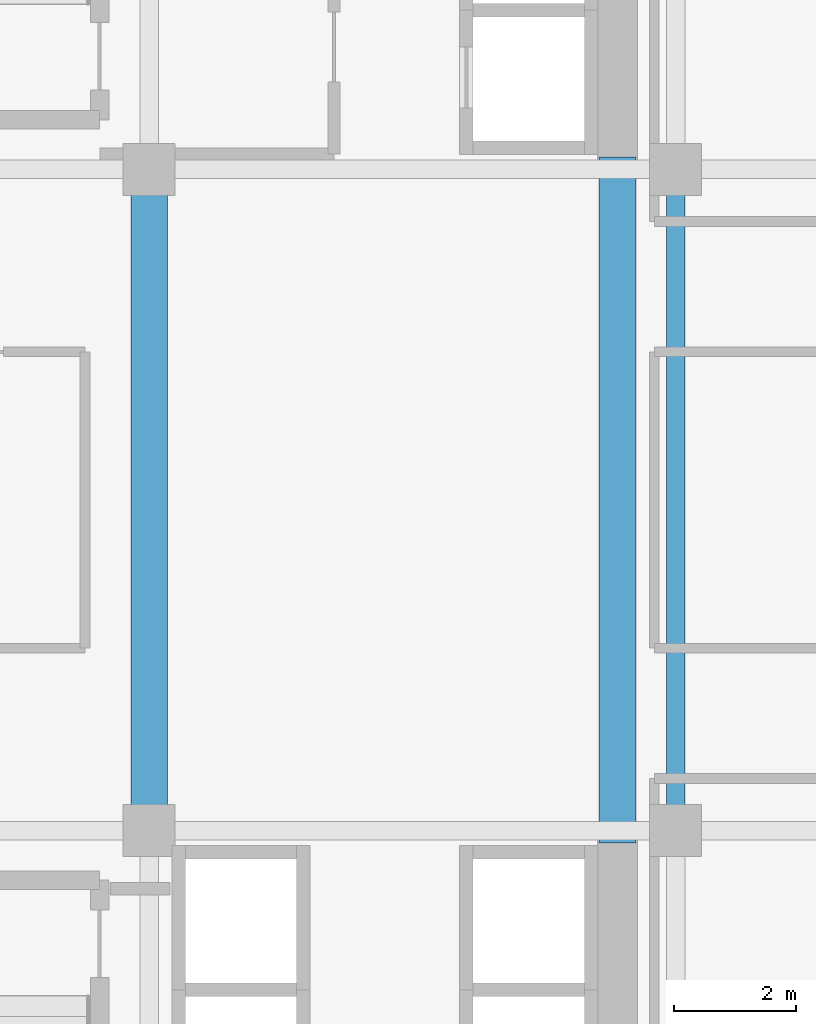
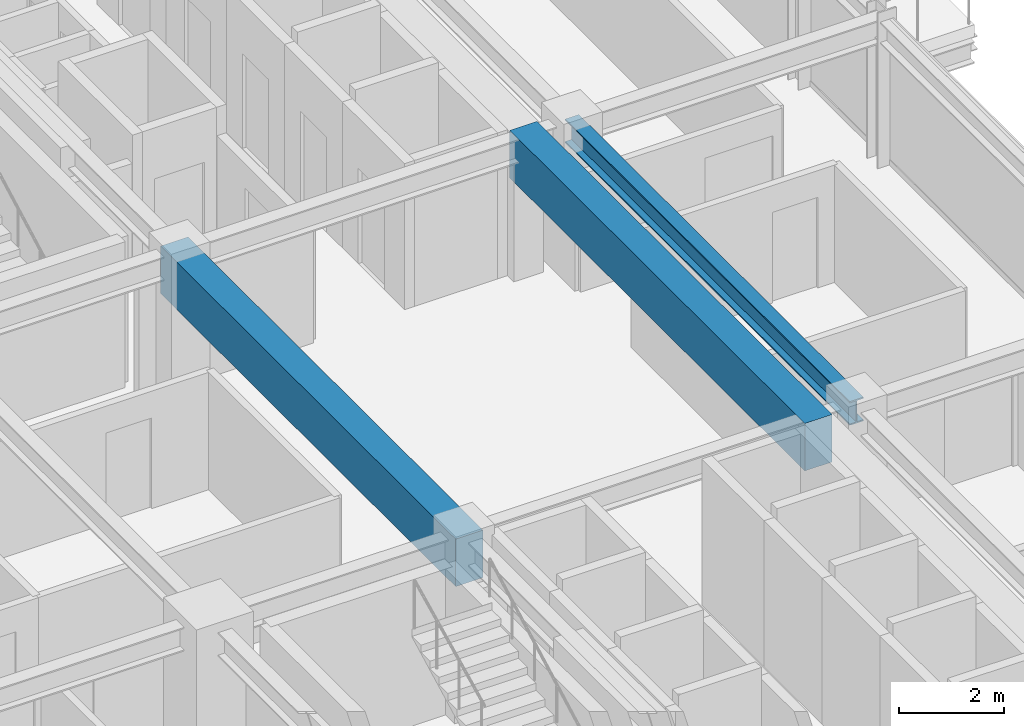
# One storey, part 15 of 34: 3 beams.
"""IFC4 building model written with IfcOpenShell, lengths in metres."""

import ifcopenshell
import ifcopenshell.guid

model = None  # the IFC model being written
_history = None  # IfcOwnerHistory: only IFC2X3 demands one
_inside = {}  # id of a spatial element -> (the spatial element, [elements in it])
_under = {}  # id of a project, library or spatial element -> (it, [spatial elements below it])
_declared = {}  # id of a project -> (the project, [libraries it declares])
_typed = {}  # id of a type object -> (the type object, [elements of that type])
_made_of = {}  # id of a material, layer set ... -> (it, [elements and type objects made of it])


def new_model(schema):
    """Start an empty IFC model of exactly this schema.

    Asked for "IFC4X3", IfcOpenShell would pick the latest addendum, in which some entities
    have other attributes; the version numbers below select the first issue.
    IFC2X3 requires an IfcOwnerHistory on every rooted entity: one is made here for all.
    """
    global model, _history
    if schema == "IFC4X3":
        model = ifcopenshell.file(schema_version=(4, 3, 0, 0))
    else:
        model = ifcopenshell.file(schema=schema)
    _inside.clear()
    _under.clear()
    _declared.clear()
    _typed.clear()
    _made_of.clear()
    _history = None
    if model.schema == "IFC2X3":
        org = make("IfcOrganization", Name="unknown")
        user = make(
            "IfcPersonAndOrganization",
            ThePerson=make("IfcPerson", FamilyName="unknown"),
            TheOrganization=org,
        )
        app = make(
            "IfcApplication",
            ApplicationDeveloper=org,
            Version="unknown",
            ApplicationFullName="unknown",
            ApplicationIdentifier="unknown",
        )
        _history = make(
            "IfcOwnerHistory",
            OwningUser=user,
            OwningApplication=app,
            ChangeAction="ADDED",
            CreationDate=0,
        )
    return model


def make(cls, **values):
    """One entity of the class cls with the attributes given. An attribute that is None is left unset."""
    return model.create_entity(
        cls, **{name: value for name, value in values.items() if value is not None}
    )


def rooted(cls, **values):
    """An entity with a GlobalId (a new one), such as an element, a storey or a relation."""
    return make(cls, GlobalId=ifcopenshell.guid.new(), OwnerHistory=_history, **values)


def si_unit(unit_type, name, prefix=None):
    """IfcSIUnit, for example si_unit("LENGTHUNIT", "METRE", prefix="MILLI")."""
    return make("IfcSIUnit", UnitType=unit_type, Prefix=prefix, Name=name)


def assignment(units):
    """IfcUnitAssignment: the units of a project."""
    return None if units is None else make("IfcUnitAssignment", Units=units)


def point(xyz):
    """IfcCartesianPoint."""
    return None if xyz is None else make("IfcCartesianPoint", Coordinates=xyz)


def direction(xyz):
    """IfcDirection."""
    return None if xyz is None else make("IfcDirection", DirectionRatios=xyz)


def frame(location, z_axis=None, x_axis=None):
    """IfcAxis2Placement3D, a coordinate frame: its origin and axes. An axis left out is left unset."""
    return make(
        "IfcAxis2Placement3D",
        Location=point(location),
        Axis=direction(z_axis),
        RefDirection=direction(x_axis),
    )


def frame_2d(location, x_axis=None):
    """IfcAxis2Placement2D, a coordinate frame in the plane: its origin and x axis."""
    return make(
        "IfcAxis2Placement2D", Location=point(location), RefDirection=direction(x_axis)
    )


def origin():
    """The frame at (0, 0, 0) with its axes left unset."""
    return frame((0.0, 0.0, 0.0))


def origin_2d():
    """The frame at (0, 0) in the plane with its x axis left unset."""
    return frame_2d((0.0, 0.0))


def place(relative_to, where):
    """IfcLocalPlacement: puts the frame where relative to a parent placement (None: the world)."""
    return make(
        "IfcLocalPlacement", PlacementRelTo=relative_to, RelativePlacement=where
    )


def context(
    kind, dimensions, precision=None, world=None, true_north=None, identifier=None
):
    """IfcGeometricRepresentationContext, for example the 3D "Model" context."""
    return make(
        "IfcGeometricRepresentationContext",
        ContextIdentifier=identifier,
        ContextType=kind,
        CoordinateSpaceDimension=dimensions,
        Precision=precision,
        WorldCoordinateSystem=world,
        TrueNorth=true_north,
    )


def subcontext(parent, identifier, kind, view, scale=None):
    """IfcGeometricRepresentationSubContext, for example "Body" below "Model"."""
    return make(
        "IfcGeometricRepresentationSubContext",
        ContextIdentifier=identifier,
        ContextType=kind,
        ParentContext=parent,
        TargetScale=scale,
        TargetView=view,
    )


def project(units=None, contexts=None):
    """IfcProject with its units and contexts."""
    return rooted(
        "IfcProject",
        Name="project",
        RepresentationContexts=contexts,
        UnitsInContext=assignment(units),
    )


def spatial(cls, under=None, at=None, **own):
    """A site, building, storey or space (cls), placed at a placement, below another one or the project."""
    s = rooted(cls, ObjectPlacement=at, **own)
    if under is not None:
        _under.setdefault(under.id(), (under, []))[1].append(s)
    return s


def profile(cls, at=None, kind="AREA", **sizes):
    """A parametric profile (cls). Its sizes go by their IFC names, for example OverallWidth=200.0."""
    return make(cls, ProfileType=kind, Position=at, **sizes)


def rectangle(**sizes):
    """IfcRectangleProfileDef."""
    return profile("IfcRectangleProfileDef", **sizes)


def i_section(**sizes):
    """IfcIShapeProfileDef."""
    return profile("IfcIShapeProfileDef", **sizes)


def extrude(swept, where, along, depth):
    """IfcExtrudedAreaSolid: the profile swept, set in the frame where, extruded along a direction by depth."""
    return make(
        "IfcExtrudedAreaSolid",
        SweptArea=swept,
        Position=where,
        ExtrudedDirection=direction(along),
        Depth=depth,
    )


def shape(context_of_items, identifier, shape_type, items):
    """IfcShapeRepresentation: the items that make up one representation, for example the "Body"."""
    return make(
        "IfcShapeRepresentation",
        ContextOfItems=context_of_items,
        RepresentationIdentifier=identifier,
        RepresentationType=shape_type,
        Items=items,
    )


def source(mapping_origin, context_of_items, identifier, shape_type, items):
    """IfcRepresentationMap: a shape defined once, which mapped items show again and again."""
    return make(
        "IfcRepresentationMap",
        MappingOrigin=mapping_origin,
        MappedRepresentation=shape(context_of_items, identifier, shape_type, items),
    )


def transform(
    local_origin,
    x_axis=None,
    y_axis=None,
    z_axis=None,
    scale=None,
    scale2=None,
    scale3=None,
    uniform=True,
):
    """IfcCartesianTransformationOperator3D, or its non-uniform kind. x_axis, y_axis, z_axis: its Axis1, 2, 3."""
    if uniform:
        return make(
            "IfcCartesianTransformationOperator3D",
            Axis1=direction(x_axis),
            Axis2=direction(y_axis),
            LocalOrigin=point(local_origin),
            Scale=scale,
            Axis3=direction(z_axis),
        )
    return make(
        "IfcCartesianTransformationOperator3DnonUniform",
        Axis1=direction(x_axis),
        Axis2=direction(y_axis),
        LocalOrigin=point(local_origin),
        Scale=scale,
        Axis3=direction(z_axis),
        Scale2=scale2,
        Scale3=scale3,
    )


def mapped(mapping_source, mapping_target):
    """IfcMappedItem: shows the shape of a source again, moved by a transform."""
    return make(
        "IfcMappedItem", MappingSource=mapping_source, MappingTarget=mapping_target
    )


def material(Name=None, Category=None):
    """IfcMaterial."""
    return make("IfcMaterial", Name=Name, Category=Category)


def material_profile(
    of_material, cross_section, Name=None, Category=None, Priority=None
):
    """IfcMaterialProfile: a cross section and its material."""
    return make(
        "IfcMaterialProfile",
        Name=Name,
        Material=of_material,
        Profile=cross_section,
        Priority=Priority,
        Category=Category,
    )


def profile_set(profiles, Name=None, composite=None):
    """IfcMaterialProfileSet."""
    return make(
        "IfcMaterialProfileSet",
        Name=Name,
        MaterialProfiles=profiles,
        CompositeProfile=composite,
    )


def made_of(thing, what):
    """Note that an element or type object is made of a material, layer set ...; save() writes the relation."""
    if what is not None:
        _made_of.setdefault(what.id(), (what, []))[1].append(thing)
    return thing


def type_object(cls, material=None, **own):
    """A type object (cls), such as IfcWallType, which elements share."""
    return made_of(rooted(cls, **own), material)


def element(
    cls,
    number,
    at=None,
    inside=None,
    cuts=None,
    type_object=None,
    material=None,
    context=None,
    identifier="Body",
    shape_type=None,
    held_by="IfcProductDefinitionShape",
    body=None,
    shapes=None,
    **own,
):
    """One element of the class cls, such as IfcWall. Its Tag is "e" and its number.

    at: its placement. inside: the storey or other place that contains it. cuts: it is an
    opening in that element (IfcRelVoidsElement). A single representation is given by context,
    identifier, shape_type and body (its items); several are given by shapes. held_by: the class
    of the entity that holds the representations. save() writes the other relations.
    """
    e = rooted(cls, Tag="e%d" % number, ObjectPlacement=at, **own)
    if body is not None:
        shapes = [shape(context, identifier, shape_type, body)]
    if shapes is not None:
        e.Representation = make(held_by, Representations=shapes)
    if inside is not None:
        _inside.setdefault(inside.id(), (inside, []))[1].append(e)
    if cuts is not None:
        rooted(
            "IfcRelVoidsElement", RelatingBuildingElement=cuts, RelatedOpeningElement=e
        )
    if type_object is not None:
        _typed.setdefault(type_object.id(), (type_object, []))[1].append(e)
    return made_of(e, material)


def aggregate(whole, parts):
    """IfcRelAggregates: a whole, such as a stair, and the parts it consists of."""
    return rooted("IfcRelAggregates", RelatingObject=whole, RelatedObjects=parts)


def save(model, path):
    """Write the relations noted so far, then the file.

    IfcRelAggregates (storeys below a building ...), IfcRelContainedInSpatialStructure (elements
    in a storey), IfcRelDefinesByType, IfcRelAssociatesMaterial and IfcRelDeclares: one each for
    every whole, place, type object, material and project.
    """
    for whole, parts in _under.values():
        aggregate(whole, parts)
    for where, things in _inside.values():
        rooted(
            "IfcRelContainedInSpatialStructure",
            RelatedElements=things,
            RelatingStructure=where,
        )
    for kind, things in _typed.values():
        rooted("IfcRelDefinesByType", RelatedObjects=things, RelatingType=kind)
    for what, things in _made_of.values():
        rooted("IfcRelAssociatesMaterial", RelatedObjects=things, RelatingMaterial=what)
    for by, libraries in _declared.values():
        rooted("IfcRelDeclares", RelatingContext=by, RelatedDefinitions=libraries)
    model.write(path)


model = new_model("IFC4")

# Units and contexts
model_context = context("Model", 3, precision=1e-05, world=origin(), true_north=direction((0.0, 1.0)))
body_context = subcontext(model_context, "Body", "Model", "MODEL_VIEW")
ifc_project = project(units=[si_unit("LENGTHUNIT", "METRE"), si_unit("AREAUNIT", "SQUARE_METRE"), si_unit("VOLUMEUNIT", "CUBIC_METRE"), si_unit("PLANEANGLEUNIT", "RADIAN"), si_unit("MASSUNIT", "GRAM", prefix="KILO")], contexts=[model_context])

# Site, building, storey
site_placement = place(None, origin())
site = spatial("IfcSite", under=ifc_project, at=site_placement, CompositionType="ELEMENT")
building_placement = place(site_placement, origin())
building = spatial("IfcBuilding", under=site, at=building_placement, Name="Nahalor Promenade Grand Hotel", CompositionType="ELEMENT")
storey_placement = place(building_placement, frame((0.0, 0.0, 88.300048828125)))
storey = spatial("IfcBuildingStorey", under=building, at=storey_placement, Name="L21", CompositionType="ELEMENT", Elevation=88.300048828125)

# Beams
ifc_material_1 = material(Name="Concrete B-60 (C50/60)", Category="concrete")
ifc_material_profile_1 = material_profile(ifc_material_1, rectangle(XDim=0.6, YDim=1.1, at=origin_2d()), Name="RC 600x1100")
ifc_profile_set_1 = profile_set([ifc_material_profile_1], Name="Concrete B-60 (C50/60)")
beam_type_1 = type_object("IfcBeamType", Name="Beam-Lintel-RC1100", PredefinedType="LINTEL", material=ifc_profile_set_1)
shared_shape_1 = source(origin(), body_context, "Body", "SweptSolid", [
    extrude(rectangle(XDim=0.6, YDim=1.1, at=origin_2d()), origin(), (0.0, 0.0, 1.0), 11.2001953125),
])
for number, where, z_axis, x_axis, name in (
    (1, (8.39990234375, -5.60009765625, 2.829833984375), (0.0, 1.0, 0.0), (-1.0, 0.0, 0.0), "BM-L21-LINT-W"),
    (2, (16.050048828125, -5.60009765625, 2.829833984375), (0.0, 1.0, 0.0), (-1.0, 0.0, 0.0), "BM-L21-LINT-E"),
):
    element("IfcBeam", number, at=place(storey_placement, frame(where, z_axis=z_axis, x_axis=x_axis)), inside=storey, type_object=beam_type_1, Name=name, PredefinedType="LINTEL", context=body_context, shape_type="MappedRepresentation", body=[
        mapped(shared_shape_1, transform((0.0, 0.0, 0.0), scale=1.0)),
    ])
ifc_material_2 = material(Name="Steel S355JR", Category="steel")
ifc_material_profile_2 = material_profile(ifc_material_2, i_section(OverallWidth=0.3, OverallDepth=0.55, WebThickness=0.015, FlangeThickness=0.029, at=origin_2d()), Name="HEB 550")
ifc_profile_set_2 = profile_set([ifc_material_profile_2], Name="Steel S355JR")
beam_type_2 = type_object("IfcBeamType", Name="Beam-Girder-HEB550", PredefinedType="BEAM", material=ifc_profile_set_2)
shared_shape_2 = source(origin(), body_context, "Body", "SweptSolid", [
    extrude(i_section(OverallWidth=0.3, OverallDepth=0.55, WebThickness=0.015, FlangeThickness=0.029, at=origin_2d()), origin(), (0.0, 0.0, 1.0), 10.7998046875),
])
beam_placement = place(storey_placement, frame((17.0, -5.39990234375, 3.10498046875), z_axis=(0.0, 1.0, 0.0), x_axis=(-1.0, 0.0, 0.0)))
element("IfcBeam", 3, at=beam_placement, inside=storey, type_object=beam_type_2, Name="BM-L21-GY-5-2", PredefinedType="BEAM", context=body_context, shape_type="MappedRepresentation", body=[
    mapped(shared_shape_2, transform((0.0, 0.0, 0.0), scale=1.0)),
])

save(model, "model.ifc")
